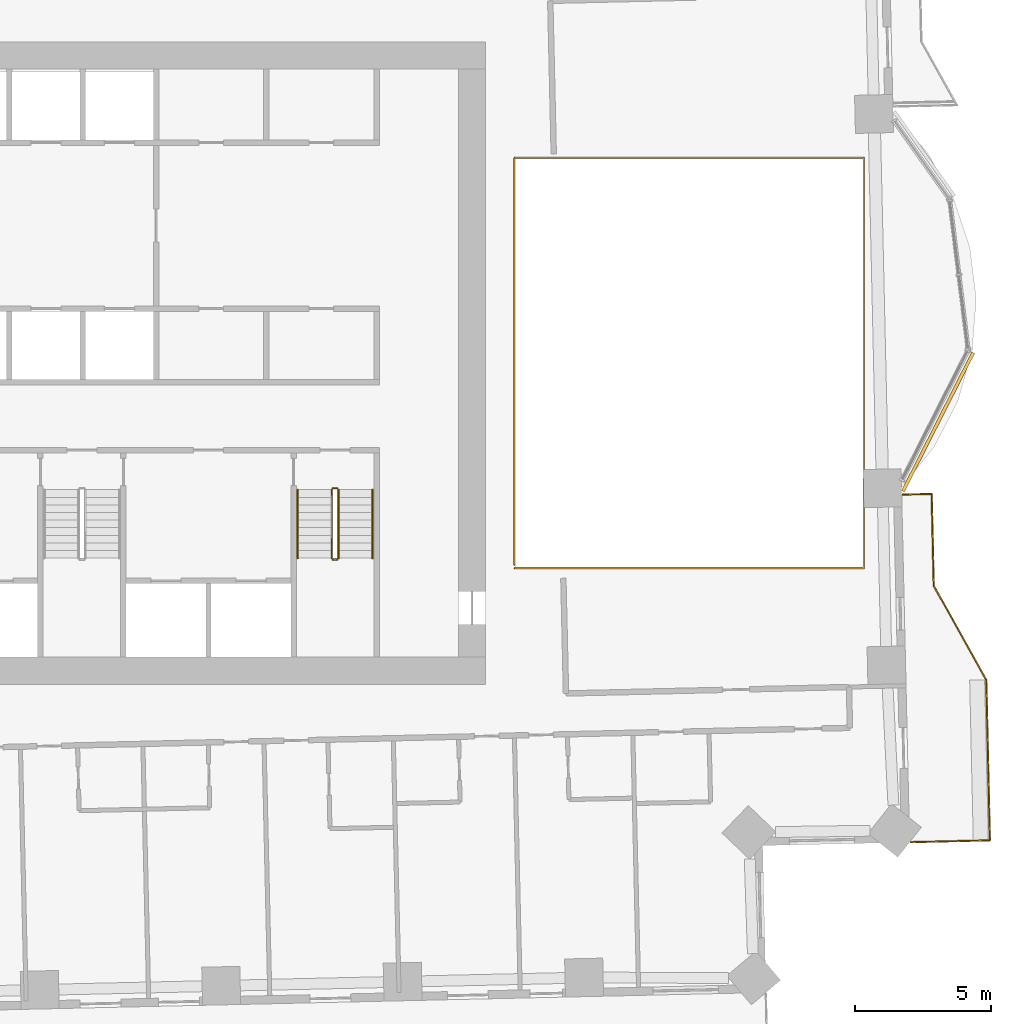
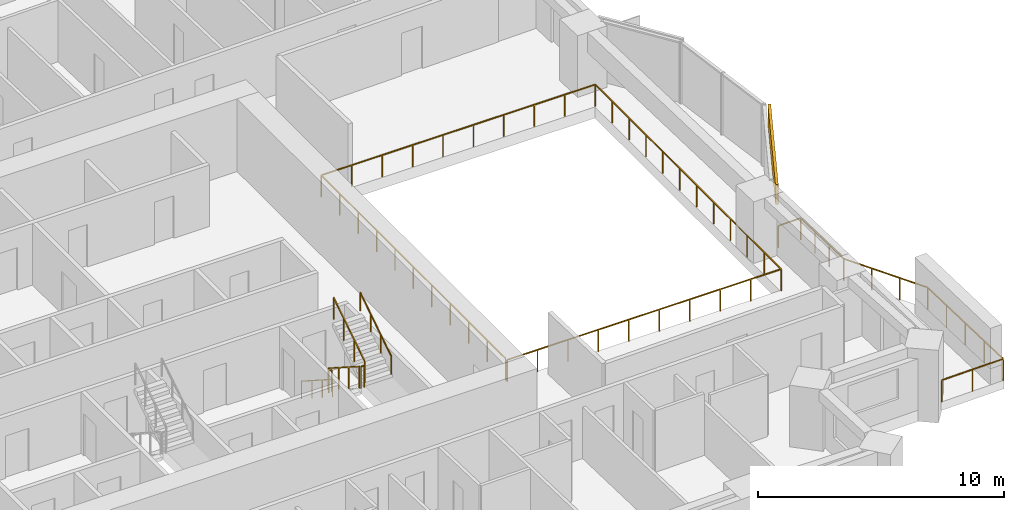
# One storey, part 16 of 17: 8 railings, 1 covering.
"""IFC4 building model written with IfcOpenShell, lengths in metres."""

from ifc_helpers import new_model, si_unit, direction, frame, frame_2d, origin, origin_2d, place, context, subcontext, project, spatial, rectangle, circle, extrude, material, layer, layer_set, type_object, element, save


model = new_model("IFC4")

# Units and contexts
model_context = context("Model", 3, precision=1e-05, world=origin(), true_north=direction((0.0, 1.0)))
body_context = subcontext(model_context, "Body", "Model", "MODEL_VIEW")
ifc_project = project(units=[si_unit("LENGTHUNIT", "METRE"), si_unit("AREAUNIT", "SQUARE_METRE"), si_unit("VOLUMEUNIT", "CUBIC_METRE"), si_unit("PLANEANGLEUNIT", "RADIAN"), si_unit("MASSUNIT", "GRAM", prefix="KILO")], contexts=[model_context])

# Site, building, storey
site_placement = place(None, origin())
site = spatial("IfcSite", under=ifc_project, at=site_placement, CompositionType="ELEMENT")
building_placement = place(site_placement, origin())
building = spatial("IfcBuilding", under=site, at=building_placement, Name="Mangrove Gate Tower", CompositionType="ELEMENT")
storey_placement = place(building_placement, frame((0.0, 0.0, 90.10009765625)))
storey = spatial("IfcBuildingStorey", under=building, at=storey_placement, Name="L22", CompositionType="ELEMENT", Elevation=90.10009765625)

# Railings
ifc_material_1 = material(Name="Stainless steel grade 316 with laminated glass infill", Category="steel")
railing_type_1 = type_object("IfcRailingType", Name="Balcony guard 1100", PredefinedType="GUARDRAIL", material=ifc_material_1)
railing_1_placement = place(storey_placement, frame((30.419921875, -17.60107421875, 0.0)))
element("IfcRailing", 1, at=railing_1_placement, inside=storey, type_object=railing_type_1, Name="GUARD L22 E1", PredefinedType="GUARDRAIL", context=body_context, shape_type="SweptSolid", body=[
    extrude(rectangle(XDim=0.048095703125, YDim=0.048095703125, at=origin_2d()), frame((0.0, 0.0, 1.076171875), z_axis=(0.999741488917, 0.022736651854, 0.0), x_axis=(-0.022736651854, 0.999741488917, 0.0)), (0.0, 0.0, 1.0), 2.909912109375),
    extrude(rectangle(XDim=0.048095703125, YDim=0.048095703125, at=origin_2d()), frame((2.9091796875, 0.066162109375, 1.076171875), z_axis=(-0.02255407589, 0.999745624477, 0.0), x_axis=(-0.999745624477, -0.02255407589, 0.0)), (0.0, 0.0, 1.0), 5.8994140625),
    extrude(rectangle(XDim=0.048095703125, YDim=0.048095703125, at=origin_2d()), frame((2.776123046875, 5.964111328125, 1.076171875), z_axis=(-0.48726008209, 0.87325689943, 0.0), x_axis=(-0.87325689943, -0.48726008209, 0.0)), (0.0, 0.0, 1.0), 3.958740234375),
    extrude(rectangle(XDim=0.048095703125, YDim=0.048095703125, at=origin_2d()), frame((0.84716796875, 9.421142578125, 1.076171875), z_axis=(-0.02285943746, 0.999738688918, 0.0), x_axis=(-0.999738688918, -0.02285943746, 0.0)), (0.0, 0.0, 1.0), 3.375),
    extrude(rectangle(XDim=0.048095703125, YDim=0.048095703125, at=origin_2d()), frame((0.77001953125, 12.795166015625, 1.076171875), z_axis=(-0.999740168701, -0.022794628443, 0.0), x_axis=(0.022794628443, -0.999740168701, 0.0)), (0.0, 0.0, 1.0), 1.060302734375),
    extrude(rectangle(XDim=0.0419921875, YDim=0.0419921875, at=origin_2d()), origin(), (0.0, 0.0, 1.0), 1.052001953125),
    extrude(rectangle(XDim=0.0419921875, YDim=0.0419921875, at=origin_2d()), frame((1.45458984375, 0.033203125, 0.0)), (0.0, 0.0, 1.0), 1.052001953125),
    extrude(rectangle(XDim=0.0419921875, YDim=0.0419921875, at=origin_2d()), frame((2.9091796875, 0.066162109375, 0.0)), (0.0, 0.0, 1.0), 1.052001953125),
    extrude(rectangle(XDim=0.0419921875, YDim=0.0419921875, at=origin_2d()), frame((2.8759765625, 1.54052734375, 0.0)), (0.0, 0.0, 1.0), 1.052001953125),
    extrude(rectangle(XDim=0.0419921875, YDim=0.0419921875, at=origin_2d()), frame((2.8427734375, 3.01513671875, 0.0)), (0.0, 0.0, 1.0), 1.052001953125),
    extrude(rectangle(XDim=0.0419921875, YDim=0.0419921875, at=origin_2d()), frame((2.809326171875, 4.48974609375, 0.0)), (0.0, 0.0, 1.0), 1.052001953125),
    extrude(rectangle(XDim=0.0419921875, YDim=0.0419921875, at=origin_2d()), frame((2.776123046875, 5.964111328125, 0.0)), (0.0, 0.0, 1.0), 1.052001953125),
    extrude(rectangle(XDim=0.0419921875, YDim=0.0419921875, at=origin_2d()), frame((2.133056640625, 7.116455078125, 0.0)), (0.0, 0.0, 1.0), 1.052001953125),
    extrude(rectangle(XDim=0.0419921875, YDim=0.0419921875, at=origin_2d()), frame((1.490234375, 8.268798828125, 0.0)), (0.0, 0.0, 1.0), 1.052001953125),
    extrude(rectangle(XDim=0.0419921875, YDim=0.0419921875, at=origin_2d()), frame((0.84716796875, 9.421142578125, 0.0)), (0.0, 0.0, 1.0), 1.052001953125),
    extrude(rectangle(XDim=0.0419921875, YDim=0.0419921875, at=origin_2d()), frame((0.821533203125, 10.5458984375, 0.0)), (0.0, 0.0, 1.0), 1.052001953125),
    extrude(rectangle(XDim=0.0419921875, YDim=0.0419921875, at=origin_2d()), frame((0.795654296875, 11.67041015625, 0.0)), (0.0, 0.0, 1.0), 1.052001953125),
    extrude(rectangle(XDim=0.0419921875, YDim=0.0419921875, at=origin_2d()), frame((0.77001953125, 12.795166015625, 0.0)), (0.0, 0.0, 1.0), 1.052001953125),
    extrude(rectangle(XDim=0.0419921875, YDim=0.0419921875, at=origin_2d()), frame((-0.2900390625, 12.77099609375, 0.0)), (0.0, 0.0, 1.0), 1.052001953125),
])
railing_2_placement = place(storey_placement, frame((15.860107421875, -7.5400390625, 0.0)))
element("IfcRailing", 2, at=railing_2_placement, inside=storey, type_object=railing_type_1, Name="GUARD L22 atrium", PredefinedType="GUARDRAIL", context=body_context, shape_type="SweptSolid", body=[
    extrude(rectangle(XDim=0.048095703125, YDim=0.048095703125, at=origin_2d()), frame((0.0, 0.0, 1.076171875), z_axis=(1.0, 0.0, 0.0), x_axis=(0.0, 1.0, 0.0)), (0.0, 0.0, 1.0), 12.8388671875),
    extrude(rectangle(XDim=0.048095703125, YDim=0.048095703125, at=origin_2d()), frame((12.8388671875, 0.0, 1.076171875), z_axis=(0.0, 1.0, 0.0), x_axis=(-1.0, 0.0, 0.0)), (0.0, 0.0, 1.0), 15.080078125),
    extrude(rectangle(XDim=0.048095703125, YDim=0.048095703125, at=origin_2d()), frame((12.8388671875, 15.080078125, 1.076171875), z_axis=(-1.0, 0.0, 0.0), x_axis=(0.0, -1.0, 0.0)), (0.0, 0.0, 1.0), 12.8388671875),
    extrude(rectangle(XDim=0.048095703125, YDim=0.048095703125, at=origin_2d()), frame((0.0, 15.080078125, 1.076171875), z_axis=(0.0, -1.0, 0.0), x_axis=(1.0, 0.0, 0.0)), (0.0, 0.0, 1.0), 14.9599609375),
    extrude(rectangle(XDim=0.0419921875, YDim=0.0419921875, at=origin_2d()), origin(), (0.0, 0.0, 1.0), 1.052001953125),
    extrude(rectangle(XDim=0.0419921875, YDim=0.0419921875, at=origin_2d()), frame((1.426513671875, 0.0, 0.0)), (0.0, 0.0, 1.0), 1.052001953125),
    extrude(rectangle(XDim=0.0419921875, YDim=0.0419921875, at=origin_2d()), frame((2.85302734375, 0.0, 0.0)), (0.0, 0.0, 1.0), 1.052001953125),
    extrude(rectangle(XDim=0.0419921875, YDim=0.0419921875, at=origin_2d()), frame((4.279541015625, 0.0, 0.0)), (0.0, 0.0, 1.0), 1.052001953125),
    extrude(rectangle(XDim=0.0419921875, YDim=0.0419921875, at=origin_2d()), frame((5.7060546875, 0.0, 0.0)), (0.0, 0.0, 1.0), 1.052001953125),
    extrude(rectangle(XDim=0.0419921875, YDim=0.0419921875, at=origin_2d()), frame((7.1328125, 0.0, 0.0)), (0.0, 0.0, 1.0), 1.052001953125),
    extrude(rectangle(XDim=0.0419921875, YDim=0.0419921875, at=origin_2d()), frame((8.559326171875, 0.0, 0.0)), (0.0, 0.0, 1.0), 1.052001953125),
    extrude(rectangle(XDim=0.0419921875, YDim=0.0419921875, at=origin_2d()), frame((9.98583984375, 0.0, 0.0)), (0.0, 0.0, 1.0), 1.052001953125),
    extrude(rectangle(XDim=0.0419921875, YDim=0.0419921875, at=origin_2d()), frame((11.412353515625, 0.0, 0.0)), (0.0, 0.0, 1.0), 1.052001953125),
    extrude(rectangle(XDim=0.0419921875, YDim=0.0419921875, at=origin_2d()), frame((12.8388671875, 0.0, 0.0)), (0.0, 0.0, 1.0), 1.052001953125),
    extrude(rectangle(XDim=0.0419921875, YDim=0.0419921875, at=origin_2d()), frame((12.8388671875, 1.370849609375, 0.0)), (0.0, 0.0, 1.0), 1.052001953125),
    extrude(rectangle(XDim=0.0419921875, YDim=0.0419921875, at=origin_2d()), frame((12.8388671875, 2.741943359375, 0.0)), (0.0, 0.0, 1.0), 1.052001953125),
    extrude(rectangle(XDim=0.0419921875, YDim=0.0419921875, at=origin_2d()), frame((12.8388671875, 4.11279296875, 0.0)), (0.0, 0.0, 1.0), 1.052001953125),
    extrude(rectangle(XDim=0.0419921875, YDim=0.0419921875, at=origin_2d()), frame((12.8388671875, 5.483642578125, 0.0)), (0.0, 0.0, 1.0), 1.052001953125),
    extrude(rectangle(XDim=0.0419921875, YDim=0.0419921875, at=origin_2d()), frame((12.8388671875, 6.8544921875, 0.0)), (0.0, 0.0, 1.0), 1.052001953125),
    extrude(rectangle(XDim=0.0419921875, YDim=0.0419921875, at=origin_2d()), frame((12.8388671875, 8.2255859375, 0.0)), (0.0, 0.0, 1.0), 1.052001953125),
    extrude(rectangle(XDim=0.0419921875, YDim=0.0419921875, at=origin_2d()), frame((12.8388671875, 9.596435546875, 0.0)), (0.0, 0.0, 1.0), 1.052001953125),
    extrude(rectangle(XDim=0.0419921875, YDim=0.0419921875, at=origin_2d()), frame((12.8388671875, 10.96728515625, 0.0)), (0.0, 0.0, 1.0), 1.052001953125),
    extrude(rectangle(XDim=0.0419921875, YDim=0.0419921875, at=origin_2d()), frame((12.8388671875, 12.338134765625, 0.0)), (0.0, 0.0, 1.0), 1.052001953125),
    extrude(rectangle(XDim=0.0419921875, YDim=0.0419921875, at=origin_2d()), frame((12.8388671875, 13.709228515625, 0.0)), (0.0, 0.0, 1.0), 1.052001953125),
    extrude(rectangle(XDim=0.0419921875, YDim=0.0419921875, at=origin_2d()), frame((12.8388671875, 15.080078125, 0.0)), (0.0, 0.0, 1.0), 1.052001953125),
    extrude(rectangle(XDim=0.0419921875, YDim=0.0419921875, at=origin_2d()), frame((11.412353515625, 15.080078125, 0.0)), (0.0, 0.0, 1.0), 1.052001953125),
    extrude(rectangle(XDim=0.0419921875, YDim=0.0419921875, at=origin_2d()), frame((9.98583984375, 15.080078125, 0.0)), (0.0, 0.0, 1.0), 1.052001953125),
    extrude(rectangle(XDim=0.0419921875, YDim=0.0419921875, at=origin_2d()), frame((8.559326171875, 15.080078125, 0.0)), (0.0, 0.0, 1.0), 1.052001953125),
    extrude(rectangle(XDim=0.0419921875, YDim=0.0419921875, at=origin_2d()), frame((7.1328125, 15.080078125, 0.0)), (0.0, 0.0, 1.0), 1.052001953125),
    extrude(rectangle(XDim=0.0419921875, YDim=0.0419921875, at=origin_2d()), frame((5.7060546875, 15.080078125, 0.0)), (0.0, 0.0, 1.0), 1.052001953125),
    extrude(rectangle(XDim=0.0419921875, YDim=0.0419921875, at=origin_2d()), frame((4.279541015625, 15.080078125, 0.0)), (0.0, 0.0, 1.0), 1.052001953125),
    extrude(rectangle(XDim=0.0419921875, YDim=0.0419921875, at=origin_2d()), frame((2.85302734375, 15.080078125, 0.0)), (0.0, 0.0, 1.0), 1.052001953125),
    extrude(rectangle(XDim=0.0419921875, YDim=0.0419921875, at=origin_2d()), frame((1.426513671875, 15.080078125, 0.0)), (0.0, 0.0, 1.0), 1.052001953125),
    extrude(rectangle(XDim=0.0419921875, YDim=0.0419921875, at=origin_2d()), frame((0.0, 15.080078125, 0.0)), (0.0, 0.0, 1.0), 1.052001953125),
    extrude(rectangle(XDim=0.0419921875, YDim=0.0419921875, at=origin_2d()), frame((0.0, 13.583984375, 0.0)), (0.0, 0.0, 1.0), 1.052001953125),
    extrude(rectangle(XDim=0.0419921875, YDim=0.0419921875, at=origin_2d()), frame((0.0, 12.088134765625, 0.0)), (0.0, 0.0, 1.0), 1.052001953125),
    extrude(rectangle(XDim=0.0419921875, YDim=0.0419921875, at=origin_2d()), frame((0.0, 10.592041015625, 0.0)), (0.0, 0.0, 1.0), 1.052001953125),
    extrude(rectangle(XDim=0.0419921875, YDim=0.0419921875, at=origin_2d()), frame((0.0, 9.09619140625, 0.0)), (0.0, 0.0, 1.0), 1.052001953125),
    extrude(rectangle(XDim=0.0419921875, YDim=0.0419921875, at=origin_2d()), frame((0.0, 7.60009765625, 0.0)), (0.0, 0.0, 1.0), 1.052001953125),
    extrude(rectangle(XDim=0.0419921875, YDim=0.0419921875, at=origin_2d()), frame((0.0, 6.10400390625, 0.0)), (0.0, 0.0, 1.0), 1.052001953125),
    extrude(rectangle(XDim=0.0419921875, YDim=0.0419921875, at=origin_2d()), frame((0.0, 4.608154296875, 0.0)), (0.0, 0.0, 1.0), 1.052001953125),
    extrude(rectangle(XDim=0.0419921875, YDim=0.0419921875, at=origin_2d()), frame((0.0, 3.112060546875, 0.0)), (0.0, 0.0, 1.0), 1.052001953125),
    extrude(rectangle(XDim=0.0419921875, YDim=0.0419921875, at=origin_2d()), frame((0.0, 1.6162109375, 0.0)), (0.0, 0.0, 1.0), 1.052001953125),
    extrude(rectangle(XDim=0.0419921875, YDim=0.0419921875, at=origin_2d()), frame((0.0, 0.1201171875, 0.0)), (0.0, 0.0, 1.0), 1.052001953125),
])
ifc_material_2 = material(Name="Stainless steel 316", Category="steel")
railing_type_2 = type_object("IfcRailingType", Name="Core stair guard 1100", PredefinedType="GUARDRAIL", material=ifc_material_2)
railing_3_placement = place(storey_placement, frame((9.14990234375, -4.64990234375, 0.179931640625)))
element("IfcRailing", 3, at=railing_3_placement, inside=storey, type_object=railing_type_2, Name="L22 ST3 stair guard 1", PredefinedType="GUARDRAIL", context=body_context, shape_type="SweptSolid", body=[
    extrude(rectangle(XDim=0.048095703125, YDim=0.048095703125, at=origin_2d()), frame((0.0, 0.0, 1.076171875), z_axis=(0.0, -0.841199657755, 0.540724639528), x_axis=(1.0, 0.0, 0.0)), (0.0, 0.0, 1.0), 2.995849609375),
    extrude(rectangle(XDim=0.0419921875, YDim=0.0419921875, at=origin_2d()), origin(), (0.0, 0.0, 1.0), 1.052001953125),
    extrude(rectangle(XDim=0.0419921875, YDim=0.0419921875, at=origin_2d()), frame((0.0, -0.840087890625, 0.5400390625)), (0.0, 0.0, 1.0), 1.052001953125),
    extrude(rectangle(XDim=0.0419921875, YDim=0.0419921875, at=origin_2d()), frame((0.0, -1.679931640625, 1.079833984375)), (0.0, 0.0, 1.0), 1.052001953125),
    extrude(rectangle(XDim=0.0419921875, YDim=0.0419921875, at=origin_2d()), frame((0.0, -2.52001953125, 1.619873046875)), (0.0, 0.0, 1.0), 1.052001953125),
])
railing_4_placement = place(storey_placement, frame((9.199951171875, -7.219970703125, 1.7998046875)))
element("IfcRailing", 4, at=railing_4_placement, inside=storey, type_object=railing_type_2, Name="L22 ST3 stair guard 2", PredefinedType="GUARDRAIL", context=body_context, shape_type="SweptSolid", body=[
    extrude(rectangle(XDim=0.048095703125, YDim=0.048095703125, at=origin_2d()), frame((0.0, 0.0, 1.076171875), z_axis=(1.0, 0.0, 0.0), x_axis=(0.0, 1.0, 0.0)), (0.0, 0.0, 1.0), 0.150146484375),
    extrude(rectangle(XDim=0.0419921875, YDim=0.0419921875, at=origin_2d()), origin(), (0.0, 0.0, 1.0), 1.052001953125),
    extrude(rectangle(XDim=0.0419921875, YDim=0.0419921875, at=origin_2d()), frame((0.150146484375, 0.0, 0.0)), (0.0, 0.0, 1.0), 1.052001953125),
])
railing_5_placement = place(storey_placement, frame((9.39990234375, -7.169921875, 1.97998046875)))
element("IfcRailing", 5, at=railing_5_placement, inside=storey, type_object=railing_type_2, Name="L22 ST3 stair guard 3", PredefinedType="GUARDRAIL", context=body_context, shape_type="SweptSolid", body=[
    extrude(rectangle(XDim=0.048095703125, YDim=0.048095703125, at=origin_2d()), frame((0.0, 0.0, 1.076171875), z_axis=(0.0, 0.841199657755, 0.540724639528), x_axis=(-1.0, 0.0, 0.0)), (0.0, 0.0, 1.0), 2.995849609375),
    extrude(rectangle(XDim=0.0419921875, YDim=0.0419921875, at=origin_2d()), origin(), (0.0, 0.0, 1.0), 1.052001953125),
    extrude(rectangle(XDim=0.0419921875, YDim=0.0419921875, at=origin_2d()), frame((0.0, 0.840087890625, 0.5400390625)), (0.0, 0.0, 1.0), 1.052001953125),
    extrude(rectangle(XDim=0.0419921875, YDim=0.0419921875, at=origin_2d()), frame((0.0, 1.679931640625, 1.079833984375)), (0.0, 0.0, 1.0), 1.052001953125),
    extrude(rectangle(XDim=0.0419921875, YDim=0.0419921875, at=origin_2d()), frame((0.0, 2.52001953125, 1.619873046875)), (0.0, 0.0, 1.0), 1.052001953125),
])
railing_6_placement = place(storey_placement, frame((9.199951171875, -4.60009765625, 0.0)))
element("IfcRailing", 6, at=railing_6_placement, inside=storey, type_object=railing_type_2, Name="L22 ST3 stair guard 4", PredefinedType="GUARDRAIL", context=body_context, shape_type="SweptSolid", body=[
    extrude(rectangle(XDim=0.048095703125, YDim=0.048095703125, at=origin_2d()), frame((0.0, 0.0, 1.076171875), z_axis=(1.0, 0.0, 0.0), x_axis=(0.0, 1.0, 0.0)), (0.0, 0.0, 1.0), 0.150146484375),
    extrude(rectangle(XDim=0.0419921875, YDim=0.0419921875, at=origin_2d()), origin(), (0.0, 0.0, 1.0), 1.052001953125),
    extrude(rectangle(XDim=0.0419921875, YDim=0.0419921875, at=origin_2d()), frame((0.150146484375, 0.0, 0.0)), (0.0, 0.0, 1.0), 1.052001953125),
])
ifc_material_3 = material(Name="Stainless steel 316", Category="steel")
railing_type_3 = type_object("IfcRailingType", Name="Core stair handrail 900", PredefinedType="HANDRAIL", material=ifc_material_3)
railing_7_placement = place(storey_placement, frame((7.89990234375, -4.64990234375, 0.179931640625)))
element("IfcRailing", 7, at=railing_7_placement, inside=storey, type_object=railing_type_3, Name="L22 ST3 stair handrail 1", PredefinedType="HANDRAIL", context=body_context, shape_type="SweptSolid", body=[
    extrude(circle(Radius=0.02392578125, at=origin_2d()), frame((0.0, 0.0, 0.8759765625), z_axis=(0.0, -0.841199657755, 0.540724639528), x_axis=(1.0, 0.0, 0.0)), (0.0, 0.0, 1.0), 2.995849609375),
    extrude(circle(Radius=0.02099609375, at=origin_2d()), origin(), (0.0, 0.0, 1.0), 0.851806640625),
    extrude(circle(Radius=0.02099609375, at=origin_2d()), frame((0.0, -0.840087890625, 0.5400390625)), (0.0, 0.0, 1.0), 0.851806640625),
    extrude(circle(Radius=0.02099609375, at=origin_2d()), frame((0.0, -1.679931640625, 1.079833984375)), (0.0, 0.0, 1.0), 0.851806640625),
    extrude(circle(Radius=0.02099609375, at=origin_2d()), frame((0.0, -2.52001953125, 1.619873046875)), (0.0, 0.0, 1.0), 0.851806640625),
])
railing_8_placement = place(storey_placement, frame((10.64990234375, -7.169921875, 1.97998046875)))
element("IfcRailing", 8, at=railing_8_placement, inside=storey, type_object=railing_type_3, Name="L22 ST3 stair handrail 2", PredefinedType="HANDRAIL", context=body_context, shape_type="SweptSolid", body=[
    extrude(circle(Radius=0.02392578125, at=origin_2d()), frame((0.0, 0.0, 0.8759765625), z_axis=(0.0, 0.841199657755, 0.540724639528), x_axis=(-1.0, 0.0, 0.0)), (0.0, 0.0, 1.0), 2.995849609375),
    extrude(circle(Radius=0.02099609375, at=origin_2d()), origin(), (0.0, 0.0, 1.0), 0.851806640625),
    extrude(circle(Radius=0.02099609375, at=origin_2d()), frame((0.0, 0.840087890625, 0.5400390625)), (0.0, 0.0, 1.0), 0.851806640625),
    extrude(circle(Radius=0.02099609375, at=origin_2d()), frame((0.0, 1.679931640625, 1.079833984375)), (0.0, 0.0, 1.0), 0.851806640625),
    extrude(circle(Radius=0.02099609375, at=origin_2d()), frame((0.0, 2.52001953125, 1.619873046875)), (0.0, 0.0, 1.0), 0.851806640625),
])

# Covering
ifc_material_4 = material(Name="Limestone", Category="masonry")
ifc_layer_1 = layer(ifc_material_4, 0.0400390625, Name="Limestone cladding")
ifc_material_5 = material(Name="Stainless steel anchors and cavity", Category="steel")
ifc_layer_2 = layer(ifc_material_5, 0.080078125, Name="Fixing cavity")
ifc_layer_set = layer_set([ifc_layer_1, ifc_layer_2], Name="Joint fascia cladding 120")
covering_type = type_object("IfcCoveringType", Name="Joint fascia cladding 120", PredefinedType="CLADDING", material=ifc_layer_set)
covering_placement = place(storey_placement, frame((30.13720703125, -4.705322265625, 2.0498046875), z_axis=(0.0, 0.0, 1.0), x_axis=(0.452477241859, 0.891775950337, 0.0)))
element("IfcCovering", 9, at=covering_placement, inside=storey, type_object=covering_type, Name="STONE FASCIA L22 E1.L1", PredefinedType="CLADDING", context=body_context, shape_type="SweptSolid", body=[
    extrude(rectangle(XDim=5.705810546875, YDim=0.1201171875, at=frame_2d((2.85302734375, 0.0))), origin(), (0.0, 0.0, 1.0), 1.0),
])

save(model, "model.ifc")
